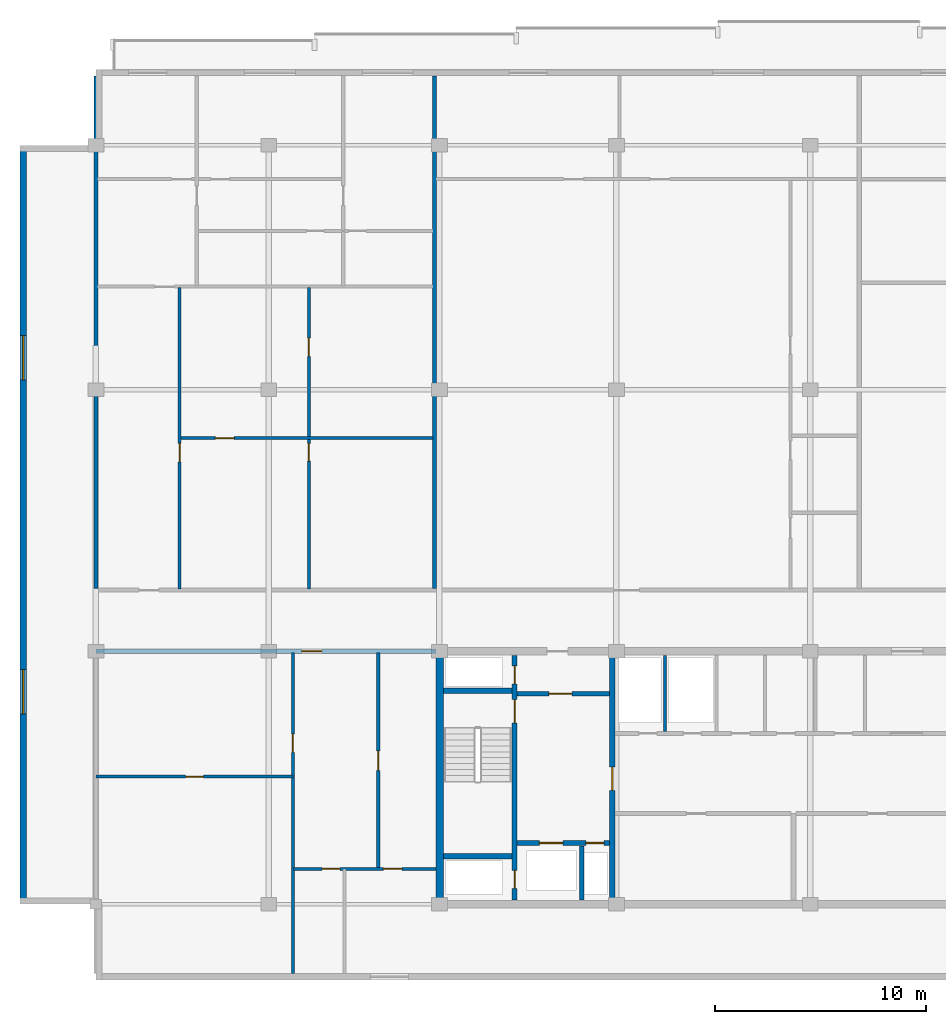
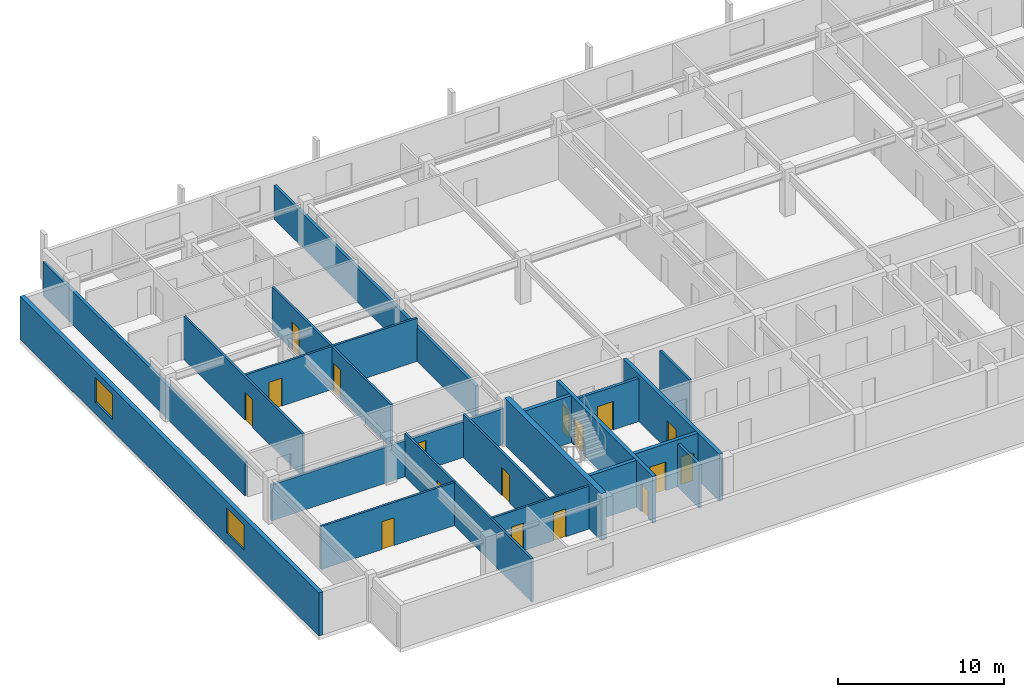
# One storey, part 3 of 10: 20 walls, 17 doors, 2 windows, 19 openings.
"""IFC4 building model written with IfcOpenShell, lengths in metres."""

from ifc_helpers import new_model, si_unit, direction, frame, frame_2d, origin, place, context, subcontext, project, spatial, rectangle, extrude, material, layer, layer_set, type_object, element, fill, save


model = new_model("IFC4")

# Units and contexts
model_context = context("Model", 3, precision=1e-05, world=origin(), true_north=direction((0.0, 1.0)))
body_context = subcontext(model_context, "Body", "Model", "MODEL_VIEW")
ifc_project = project(units=[si_unit("LENGTHUNIT", "METRE"), si_unit("AREAUNIT", "SQUARE_METRE"), si_unit("VOLUMEUNIT", "CUBIC_METRE"), si_unit("PLANEANGLEUNIT", "RADIAN"), si_unit("MASSUNIT", "GRAM", prefix="KILO")], contexts=[model_context])

# Site, building, storey
site_placement = place(None, origin())
site = spatial("IfcSite", under=ifc_project, at=site_placement, CompositionType="ELEMENT")
building_placement = place(site_placement, origin())
building = spatial("IfcBuilding", under=site, at=building_placement, Name="Korimba Cascade Residences", CompositionType="ELEMENT")
storey_placement = place(building_placement, frame((0.0, 0.0, 242.449951171875)))
storey = spatial("IfcBuildingStorey", under=building, at=storey_placement, Name="L70", CompositionType="ELEMENT", Elevation=242.449951171875)

# Wall, openings, windows
ifc_material_1 = material(Name="Precast concrete C40/50", Category="concrete")
ifc_layer_1 = layer(ifc_material_1, 0.300048828125)
ifc_layer_set_1 = layer_set([ifc_layer_1], Name="Precast concrete C40/50")
wall_type_1 = type_object("IfcWallType", Name="EW-STONE-300", PredefinedType="STANDARD", material=ifc_layer_set_1)
wall_1_placement = place(storey_placement, frame((56.35009765625, 91.199951171875, 0.0), z_axis=(0.0, 0.0, 1.0), x_axis=(0.0, -1.0, 0.0)))
wall_1 = element("IfcWall", 1, at=wall_1_placement, inside=storey, type_object=wall_type_1, Name="L70 T1 Perimeter Stone Wall E09", PredefinedType="STANDARD", context=body_context, shape_type="SweptSolid", body=[
    extrude(rectangle(XDim=36.0, YDim=0.300048828125, at=frame_2d((18.0, 0.0))), origin(), (0.0, 0.0, 1.0), 3.170166015625),
])
opening_1_placement = place(wall_1_placement, frame((9.030029296875, 0.0, 0.85009765625)))
opening_1 = element("IfcOpeningElement", 2, at=opening_1_placement, cuts=wall_1, Name="Opening W-03", PredefinedType="OPENING", context=body_context, shape_type="SweptSolid", body=[
    extrude(rectangle(XDim=2.10009765625, YDim=1.85009765625, at=frame_2d((1.050048828125, 0.925048828125))), frame((0.0, 0.16015625, 0.0), z_axis=(0.0, -1.0, 0.0), x_axis=(1.0, 0.0, 0.0)), (0.0, 0.0, 1.0), 0.320068359375),
])
opening_2_placement = place(wall_1_placement, frame((24.8701171875, 0.0, 0.85009765625)))
opening_2 = element("IfcOpeningElement", 3, at=opening_2_placement, cuts=wall_1, Name="Opening W-03", PredefinedType="OPENING", context=body_context, shape_type="SweptSolid", body=[
    extrude(rectangle(XDim=2.10009765625, YDim=1.85009765625, at=frame_2d((1.050048828125, 0.925048828125))), frame((0.0, 0.16015625, 0.0), z_axis=(0.0, -1.0, 0.0), x_axis=(1.0, 0.0, 0.0)), (0.0, 0.0, 1.0), 0.320068359375),
])
ifc_material_2 = material(Name="Double-Glazed Aluminium Window", Category="aluminium")
window_type = type_object("IfcWindowType", Name="WIN-CRN-2100", PartitioningType="DOUBLE_PANEL_HORIZONTAL", PredefinedType="WINDOW", material=ifc_material_2)
window_1_placement = place(opening_1_placement, origin())
window_1 = element("IfcWindow", 4, at=window_1_placement, inside=storey, type_object=window_type, Name="L70 T1 End View Window 9.1", OverallHeight=1.85009765625, OverallWidth=2.10009765625, PartitioningType="DOUBLE_PANEL_HORIZONTAL", PredefinedType="WINDOW", context=body_context, shape_type="SweptSolid", body=[
    extrude(rectangle(XDim=2.10009765625, YDim=1.85009765625, at=frame_2d((1.050048828125, 0.925048828125))), frame((0.0, 0.030029296875, 0.0), z_axis=(0.0, -1.0, 0.0), x_axis=(1.0, 0.0, 0.0)), (0.0, 0.0, 1.0), 0.06005859375),
])
fill(opening_1, window_1)
window_2_placement = place(opening_2_placement, origin())
window_2 = element("IfcWindow", 5, at=window_2_placement, inside=storey, type_object=window_type, Name="L70 T1 End View Window 9.2", OverallHeight=1.85009765625, OverallWidth=2.10009765625, PartitioningType="DOUBLE_PANEL_HORIZONTAL", PredefinedType="WINDOW", context=body_context, shape_type="SweptSolid", body=[
    extrude(rectangle(XDim=2.10009765625, YDim=1.85009765625, at=frame_2d((1.050048828125, 0.925048828125))), frame((0.0, 0.030029296875, 0.0), z_axis=(0.0, -1.0, 0.0), x_axis=(1.0, 0.0, 0.0)), (0.0, 0.0, 1.0), 0.06005859375),
])
fill(opening_2, window_2)

# Wall
ifc_material_3 = material(Name="Concrete C65/80", Category="concrete")
ifc_layer_2 = layer(ifc_material_3, 0.35009765625)
ifc_layer_set_2 = layer_set([ifc_layer_2], Name="Concrete C65/80")
wall_type_2 = type_object("IfcWallType", Name="WAL-CORE-350", PredefinedType="SHEAR", material=ifc_layer_set_2)
wall_2_placement = place(storey_placement, frame((76.125, 55.375, 0.0), z_axis=(0.0, 0.0, 1.0), x_axis=(0.0, 1.0, 0.0)))
element("IfcWall", 6, at=wall_2_placement, inside=storey, type_object=wall_type_2, Name="L70 Core Shear Wall CW-L70-T1-W", PredefinedType="SHEAR", context=body_context, shape_type="SweptSolid", body=[
    extrude(rectangle(XDim=11.64990234375, YDim=0.35009765625, at=frame_2d((5.824951171875, 0.0))), origin(), (0.0, 0.0, 1.0), 3.449951171875),
])

# Wall, opening, door
ifc_layer_3 = layer(ifc_material_1, 0.199951171875)
ifc_layer_set_3 = layer_set([ifc_layer_3], Name="Precast concrete C40/50")
wall_type_3 = type_object("IfcWallType", Name="WAL-IT-200", PredefinedType="PARTITIONING", material=ifc_layer_set_3)
wall_3_placement = place(storey_placement, frame((59.800048828125, 67.199951171875, 0.0), z_axis=(0.0, 0.0, 1.0), x_axis=(1.0, 0.0, 0.0)))
wall_3 = element("IfcWall", 7, at=wall_3_placement, inside=storey, type_object=wall_type_3, Name="L70 Partition Wall WAL-L70-T1-FW-N", PredefinedType="PARTITIONING", context=body_context, shape_type="SweptSolid", body=[
    extrude(rectangle(XDim=16.14990234375, YDim=0.199951171875, at=frame_2d((8.074951171875, 0.0))), origin(), (0.0, 0.0, 1.0), 2.63330078125),
])
opening_3_placement = place(wall_3_placement, frame((9.7724609375, 0.0, 0.0)))
opening_3 = element("IfcOpeningElement", 8, at=opening_3_placement, cuts=wall_3, Name="Opening D-UN1", PredefinedType="OPENING", context=body_context, shape_type="SweptSolid", body=[
    extrude(rectangle(XDim=0.949951171875, YDim=2.14990234375, at=frame_2d((0.47509765625, 1.074951171875))), frame((0.0, 0.10986328125, 0.0), z_axis=(0.0, -1.0, 0.0), x_axis=(1.0, 0.0, 0.0)), (0.0, 0.0, 1.0), 0.219970703125),
])
ifc_material_4 = material(Name="Fire-Rated Hardwood Apartment Entrance Door", Category="wood")
door_type_1 = type_object("IfcDoorType", Name="DR-FD60-950", OperationType="NOTDEFINED", PredefinedType="DOOR", material=ifc_material_4)
door_1_placement = place(opening_3_placement, origin())
door_1 = element("IfcDoor", 9, at=door_1_placement, inside=storey, type_object=door_type_1, Name="L70-T1-FW Entrance Door", OperationType="SINGLE_SWING_LEFT", OverallHeight=2.14990234375, OverallWidth=0.949951171875, PredefinedType="DOOR", context=body_context, shape_type="SweptSolid", body=[
    extrude(rectangle(XDim=0.949951171875, YDim=2.14990234375, at=frame_2d((0.47509765625, 1.074951171875))), frame((0.0, 0.02490234375, 0.0), z_axis=(0.0, -1.0, 0.0), x_axis=(1.0, 0.0, 0.0)), (0.0, 0.0, 1.0), 0.050048828125),
])
fill(opening_3, door_1)

# Walls
for number, where, z_axis, x_axis, name in (
    (10, (59.800048828125, 70.179931640625, 0.0), (0.0, 0.0, 1.0), (0.0, 1.0, 0.0), "L70 Partition Wall WAL-L70-T1-BNDWL"),
    (11, (75.864990234375, 70.179931640625, 0.0), (0.0, 0.0, 1.0), (0.0, 1.0, 0.0), "L70 Partition Wall WAL-L70-T1-DEM-1"),
):
    element("IfcWall", number, at=place(storey_placement, frame(where, z_axis=z_axis, x_axis=x_axis)), inside=storey, type_object=wall_type_3, Name=name, PredefinedType="PARTITIONING", context=body_context, shape_type="SweptSolid", body=[
        extrude(rectangle(XDim=24.320068359375, YDim=0.199951171875, at=frame_2d((12.16015625, 0.0))), origin(), (0.0, 0.0, 1.0), 2.47705078125),
    ])
ifc_material_5 = material(Name="Insulated Acoustic Stud Partition", Category="gypsum")
ifc_layer_4 = layer(ifc_material_5, 0.14990234375)
ifc_layer_set_4 = layer_set([ifc_layer_4], Name="Insulated Acoustic Stud Partition")
wall_type_4 = type_object("IfcWallType", Name="WAL-PART-150", PredefinedType="PARTITIONING", material=ifc_layer_set_4)
wall_4_placement = place(storey_placement, frame((86.800048828125, 63.39990234375, 0.0), z_axis=(0.0, 0.0, 1.0), x_axis=(0.0, 1.0, 0.0)))
element("IfcWall", 12, at=wall_4_placement, inside=storey, type_object=wall_type_4, Name="L70 Partition Wall CW-L70-T1-ERDIV", PredefinedType="PARTITIONING", context=body_context, shape_type="SweptSolid", body=[
    extrude(rectangle(XDim=3.60009765625, YDim=0.14990234375, at=frame_2d((1.800048828125, 0.0))), origin(), (0.0, 0.0, 1.0), 3.170166015625),
])

# Wall, opening, door
wall_5_placement = place(storey_placement, frame((59.800048828125, 61.25, 0.0), z_axis=(0.0, 0.0, 1.0), x_axis=(1.0, 0.0, 0.0)))
wall_5 = element("IfcWall", 13, at=wall_5_placement, inside=storey, type_object=wall_type_4, Name="L70 Partition Wall WAL-L70-T1-FW-STH", PredefinedType="PARTITIONING", context=body_context, shape_type="SweptSolid", body=[
    extrude(rectangle(XDim=9.349853515625, YDim=0.14990234375, at=frame_2d((4.6748046875, 0.0))), origin(), (0.0, 0.0, 1.0), 3.170166015625),
])
opening_4_placement = place(wall_5_placement, frame((4.2548828125, 0.0, 0.0)))
opening_4 = element("IfcOpeningElement", 14, at=opening_4_placement, cuts=wall_5, Name="Opening D-BT1", PredefinedType="OPENING", context=body_context, shape_type="SweptSolid", body=[
    extrude(rectangle(XDim=0.840087890625, YDim=2.0400390625, at=frame_2d((0.419921875, 1.02001953125))), frame((0.0, 0.0849609375, 0.0), z_axis=(0.0, -1.0, 0.0), x_axis=(1.0, 0.0, 0.0)), (0.0, 0.0, 1.0), 0.169921875),
])
ifc_material_6 = material(Name="Moisture-Resistant Bathroom Timber Door", Category="wood")
door_type_2 = type_object("IfcDoorType", Name="DR-INT-850", OperationType="NOTDEFINED", PredefinedType="DOOR", material=ifc_material_6)
door_2_placement = place(opening_4_placement, origin())
door_2 = element("IfcDoor", 15, at=door_2_placement, inside=storey, type_object=door_type_2, Name="L70-T1-FW Dressing Store Door", OperationType="SINGLE_SWING_RIGHT", OverallHeight=2.0400390625, OverallWidth=0.840087890625, PredefinedType="DOOR", context=body_context, shape_type="SweptSolid", body=[
    extrude(rectangle(XDim=0.840087890625, YDim=2.0400390625, at=frame_2d((0.419921875, 1.02001953125))), frame((0.0, 0.02490234375, 0.0), z_axis=(0.0, -1.0, 0.0), x_axis=(1.0, 0.0, 0.0)), (0.0, 0.0, 1.0), 0.050048828125),
])
fill(opening_4, door_2)

wall_6_placement = place(storey_placement, frame((69.14990234375, 51.89990234375, 0.0), z_axis=(0.0, 0.0, 1.0), x_axis=(0.0, 1.0, 0.0)))
wall_6 = element("IfcWall", 16, at=wall_6_placement, inside=storey, type_object=wall_type_4, Name="L70 Partition Wall WAL-L70-T1-FW-STV", PredefinedType="PARTITIONING", context=body_context, shape_type="SweptSolid", body=[
    extrude(rectangle(XDim=15.25, YDim=0.14990234375, at=frame_2d((7.625, 0.0))), origin(), (0.0, 0.0, 1.0), 3.170166015625),
])
opening_5_placement = place(wall_6_placement, frame((10.5, 0.0, 0.0)))
opening_5 = element("IfcOpeningElement", 17, at=opening_5_placement, cuts=wall_6, Name="Opening D-IN2", PredefinedType="OPENING", context=body_context, shape_type="SweptSolid", body=[
    extrude(rectangle(XDim=0.8798828125, YDim=2.06005859375, at=frame_2d((0.43994140625, 1.030029296875))), frame((0.0, 0.0849609375, 0.0), z_axis=(0.0, -1.0, 0.0), x_axis=(1.0, 0.0, 0.0)), (0.0, 0.0, 1.0), 0.169921875),
])
ifc_material_7 = material(Name="Acoustic Timber Bedroom Door", Category="wood")
door_type_3 = type_object("IfcDoorType", Name="DR-INT-880", OperationType="NOTDEFINED", PredefinedType="DOOR", material=ifc_material_7)
door_3_placement = place(opening_5_placement, origin())
door_3 = element("IfcDoor", 18, at=door_3_placement, inside=storey, type_object=door_type_3, Name="L70-T1-FW Study Door", OperationType="SINGLE_SWING_LEFT", OverallHeight=2.06005859375, OverallWidth=0.8798828125, PredefinedType="DOOR", context=body_context, shape_type="SweptSolid", body=[
    extrude(rectangle(XDim=0.8798828125, YDim=2.06005859375, at=frame_2d((0.43994140625, 1.030029296875))), frame((0.0, 0.02490234375, 0.0), z_axis=(0.0, -1.0, 0.0), x_axis=(1.0, 0.0, 0.0)), (0.0, 0.0, 1.0), 0.050048828125),
])
fill(opening_5, door_3)

wall_7_placement = place(storey_placement, frame((73.199951171875, 56.8701171875, 0.0), z_axis=(0.0, 0.0, 1.0), x_axis=(0.0, 1.0, 0.0)))
wall_7 = element("IfcWall", 19, at=wall_7_placement, inside=storey, type_object=wall_type_4, Name="L70 Partition Wall WAL-L70-T1-FW-VN", PredefinedType="PARTITIONING", context=body_context, shape_type="SweptSolid", body=[
    extrude(rectangle(XDim=10.27978515625, YDim=0.14990234375, at=frame_2d((5.139892578125, 0.0))), origin(), (0.0, 0.0, 1.0), 3.170166015625),
])
opening_6_placement = place(wall_7_placement, frame((4.679931640625, 0.0, 0.0)))
opening_6 = element("IfcOpeningElement", 20, at=opening_6_placement, cuts=wall_7, Name="Opening D-IN1", PredefinedType="OPENING", context=body_context, shape_type="SweptSolid", body=[
    extrude(rectangle(XDim=0.919921875, YDim=2.080078125, at=frame_2d((0.4599609375, 1.0400390625))), frame((0.0, 0.0849609375, 0.0), z_axis=(0.0, -1.0, 0.0), x_axis=(1.0, 0.0, 0.0)), (0.0, 0.0, 1.0), 0.169921875),
])
ifc_material_8 = material(Name="Acoustic Timber Living Door", Category="wood")
door_type_4 = type_object("IfcDoorType", Name="DR-INT-920", OperationType="NOTDEFINED", PredefinedType="DOOR", material=ifc_material_8)
door_4_placement = place(opening_6_placement, origin())
door_4 = element("IfcDoor", 21, at=door_4_placement, inside=storey, type_object=door_type_4, Name="L70-T1-FW Living Door", OperationType="SINGLE_SWING_RIGHT", OverallHeight=2.080078125, OverallWidth=0.919921875, PredefinedType="DOOR", context=body_context, shape_type="SweptSolid", body=[
    extrude(rectangle(XDim=0.919921875, YDim=2.080078125, at=frame_2d((0.4599609375, 1.0400390625))), frame((0.0, 0.02490234375, 0.0), z_axis=(0.0, -1.0, 0.0), x_axis=(1.0, 0.0, 0.0)), (0.0, 0.0, 1.0), 0.050048828125),
])
fill(opening_6, door_4)

# Wall, openings, doors
wall_8_placement = place(storey_placement, frame((69.169921875, 56.8701171875, 0.0), z_axis=(0.0, 0.0, 1.0), x_axis=(1.0, 0.0, 0.0)))
wall_8 = element("IfcWall", 22, at=wall_8_placement, inside=storey, type_object=wall_type_4, Name="L70 Partition Wall WAL-L70-T1-FW-H", PredefinedType="PARTITIONING", context=body_context, shape_type="SweptSolid", body=[
    extrude(rectangle(XDim=6.760009765625, YDim=0.14990234375, at=frame_2d((3.3798828125, 0.0))), origin(), (0.0, 0.0, 1.0), 3.170166015625),
])
opening_7_placement = place(wall_8_placement, frame((1.3623046875, 0.0, 0.0)))
opening_7 = element("IfcOpeningElement", 23, at=opening_7_placement, cuts=wall_8, Name="Opening D-BT1", PredefinedType="OPENING", context=body_context, shape_type="SweptSolid", body=[
    extrude(rectangle(XDim=0.840087890625, YDim=2.0400390625, at=frame_2d((0.419921875, 1.02001953125))), frame((0.0, 0.0849609375, 0.0), z_axis=(0.0, -1.0, 0.0), x_axis=(1.0, 0.0, 0.0)), (0.0, 0.0, 1.0), 0.169921875),
])
opening_8_placement = place(wall_8_placement, frame((4.276611328125, 0.0, 0.0)))
opening_8 = element("IfcOpeningElement", 24, at=opening_8_placement, cuts=wall_8, Name="Opening D-IN2", PredefinedType="OPENING", context=body_context, shape_type="SweptSolid", body=[
    extrude(rectangle(XDim=0.8798828125, YDim=2.06005859375, at=frame_2d((0.43994140625, 1.030029296875))), frame((0.0, 0.0849609375, 0.0), z_axis=(0.0, -1.0, 0.0), x_axis=(1.0, 0.0, 0.0)), (0.0, 0.0, 1.0), 0.169921875),
])
door_5_placement = place(opening_7_placement, origin())
door_5 = element("IfcDoor", 25, at=door_5_placement, inside=storey, type_object=door_type_2, Name="L70-T1-FW Bathroom Door", OperationType="SINGLE_SWING_LEFT", OverallHeight=2.0400390625, OverallWidth=0.840087890625, PredefinedType="DOOR", context=body_context, shape_type="SweptSolid", body=[
    extrude(rectangle(XDim=0.840087890625, YDim=2.0400390625, at=frame_2d((0.419921875, 1.02001953125))), frame((0.0, 0.02490234375, 0.0), z_axis=(0.0, -1.0, 0.0), x_axis=(1.0, 0.0, 0.0)), (0.0, 0.0, 1.0), 0.050048828125),
])
fill(opening_7, door_5)
door_6_placement = place(opening_8_placement, origin())
door_6 = element("IfcDoor", 26, at=door_6_placement, inside=storey, type_object=door_type_3, Name="L70-T1-FW Bedroom Door", OperationType="SINGLE_SWING_RIGHT", OverallHeight=2.06005859375, OverallWidth=0.8798828125, PredefinedType="DOOR", context=body_context, shape_type="SweptSolid", body=[
    extrude(rectangle(XDim=0.8798828125, YDim=2.06005859375, at=frame_2d((0.43994140625, 1.030029296875))), frame((0.0, 0.02490234375, 0.0), z_axis=(0.0, -1.0, 0.0), x_axis=(1.0, 0.0, 0.0)), (0.0, 0.0, 1.0), 0.050048828125),
])
fill(opening_8, door_6)

wall_9_placement = place(storey_placement, frame((69.90771484375, 70.159912109375, 0.0), z_axis=(0.0, 0.0, 1.0), x_axis=(0.0, 1.0, 0.0)))
wall_9 = element("IfcWall", 27, at=wall_9_placement, inside=storey, type_object=wall_type_4, Name="L70 Partition Wall WAL-L70-T1-U01-FMV", PredefinedType="PARTITIONING", context=body_context, shape_type="SweptSolid", body=[
    extrude(rectangle(XDim=14.300048828125, YDim=0.14990234375, at=frame_2d((7.14990234375, 0.0))), origin(), (0.0, 0.0, 1.0), 3.170166015625),
])
opening_9_placement = place(wall_9_placement, frame((6.06005859375, 0.0, 0.0)))
opening_9 = element("IfcOpeningElement", 28, at=opening_9_placement, cuts=wall_9, Name="Opening D-BT1", PredefinedType="OPENING", context=body_context, shape_type="SweptSolid", body=[
    extrude(rectangle(XDim=0.840087890625, YDim=2.0400390625, at=frame_2d((0.419921875, 1.02001953125))), frame((0.0, 0.0849609375, 0.0), z_axis=(0.0, -1.0, 0.0), x_axis=(1.0, 0.0, 0.0)), (0.0, 0.0, 1.0), 0.169921875),
])
opening_10_placement = place(wall_9_placement, frame((11.02880859375, 0.0, 0.0)))
opening_10 = element("IfcOpeningElement", 29, at=opening_10_placement, cuts=wall_9, Name="Opening D-IN2", PredefinedType="OPENING", context=body_context, shape_type="SweptSolid", body=[
    extrude(rectangle(XDim=0.8798828125, YDim=2.06005859375, at=frame_2d((0.43994140625, 1.030029296875))), frame((0.0, 0.0849609375, 0.0), z_axis=(0.0, -1.0, 0.0), x_axis=(1.0, 0.0, 0.0)), (0.0, 0.0, 1.0), 0.169921875),
])
door_7_placement = place(opening_9_placement, origin())
door_7 = element("IfcDoor", 30, at=door_7_placement, inside=storey, type_object=door_type_2, Name="L70-T1-U01 Wardrobe Door", OperationType="SINGLE_SWING_RIGHT", OverallHeight=2.0400390625, OverallWidth=0.840087890625, PredefinedType="DOOR", context=body_context, shape_type="SweptSolid", body=[
    extrude(rectangle(XDim=0.840087890625, YDim=2.0400390625, at=frame_2d((0.419921875, 1.02001953125))), frame((0.0, 0.02490234375, 0.0), z_axis=(0.0, -1.0, 0.0), x_axis=(1.0, 0.0, 0.0)), (0.0, 0.0, 1.0), 0.050048828125),
])
fill(opening_9, door_7)
door_8_placement = place(opening_10_placement, origin())
door_8 = element("IfcDoor", 31, at=door_8_placement, inside=storey, type_object=door_type_3, Name="L70-T1-U01 Music Lounge Door", OperationType="SINGLE_SWING_LEFT", OverallHeight=2.06005859375, OverallWidth=0.8798828125, PredefinedType="DOOR", context=body_context, shape_type="SweptSolid", body=[
    extrude(rectangle(XDim=0.8798828125, YDim=2.06005859375, at=frame_2d((0.43994140625, 1.030029296875))), frame((0.0, 0.02490234375, 0.0), z_axis=(0.0, -1.0, 0.0), x_axis=(1.0, 0.0, 0.0)), (0.0, 0.0, 1.0), 0.050048828125),
])
fill(opening_10, door_8)

# Wall, opening, door
wall_10_placement = place(storey_placement, frame((63.830078125, 77.31005859375, 0.0), z_axis=(0.0, 0.0, 1.0), x_axis=(1.0, 0.0, 0.0)))
wall_10 = element("IfcWall", 32, at=wall_10_placement, inside=storey, type_object=wall_type_4, Name="L70 Partition Wall WAL-L70-T1-U01-FMH", PredefinedType="PARTITIONING", context=body_context, shape_type="SweptSolid", body=[
    extrude(rectangle(XDim=11.955078125, YDim=0.14990234375, at=frame_2d((5.9775390625, 0.0))), origin(), (0.0, 0.0, 1.0), 3.170166015625),
])
opening_11_placement = place(wall_10_placement, frame((1.645751953125, 0.0, 0.0)))
opening_11 = element("IfcOpeningElement", 33, at=opening_11_placement, cuts=wall_10, Name="Opening D-IN2", PredefinedType="OPENING", context=body_context, shape_type="SweptSolid", body=[
    extrude(rectangle(XDim=0.8798828125, YDim=2.06005859375, at=frame_2d((0.43994140625, 1.030029296875))), frame((0.0, 0.0849609375, 0.0), z_axis=(0.0, -1.0, 0.0), x_axis=(1.0, 0.0, 0.0)), (0.0, 0.0, 1.0), 0.169921875),
])
door_9_placement = place(opening_11_placement, origin())
door_9 = element("IfcDoor", 34, at=door_9_placement, inside=storey, type_object=door_type_3, Name="L70-T1-U01 Library Salon Door", OperationType="SINGLE_SWING_RIGHT", OverallHeight=2.06005859375, OverallWidth=0.8798828125, PredefinedType="DOOR", context=body_context, shape_type="SweptSolid", body=[
    extrude(rectangle(XDim=0.8798828125, YDim=2.06005859375, at=frame_2d((0.43994140625, 1.030029296875))), frame((0.0, 0.02490234375, 0.0), z_axis=(0.0, -1.0, 0.0), x_axis=(1.0, 0.0, 0.0)), (0.0, 0.0, 1.0), 0.050048828125),
])
fill(opening_11, door_9)

wall_11_placement = place(storey_placement, frame((63.77001953125, 70.159912109375, 0.0), z_axis=(0.0, 0.0, 1.0), x_axis=(0.0, 1.0, 0.0)))
wall_11 = element("IfcWall", 35, at=wall_11_placement, inside=storey, type_object=wall_type_4, Name="L70 Partition Wall WAL-L70-T1-U01-FV", PredefinedType="PARTITIONING", context=body_context, shape_type="SweptSolid", body=[
    extrude(rectangle(XDim=14.300048828125, YDim=0.14990234375, at=frame_2d((7.14990234375, 0.0))), origin(), (0.0, 0.0, 1.0), 3.170166015625),
])
opening_12_placement = place(wall_11_placement, frame((6.02001953125, 0.0, 0.0)))
opening_12 = element("IfcOpeningElement", 36, at=opening_12_placement, cuts=wall_11, Name="Opening D-IN2", PredefinedType="OPENING", context=body_context, shape_type="SweptSolid", body=[
    extrude(rectangle(XDim=0.8798828125, YDim=2.06005859375, at=frame_2d((0.43994140625, 1.030029296875))), frame((0.0, 0.0849609375, 0.0), z_axis=(0.0, -1.0, 0.0), x_axis=(1.0, 0.0, 0.0)), (0.0, 0.0, 1.0), 0.169921875),
])
door_10_placement = place(opening_12_placement, origin())
door_10 = element("IfcDoor", 37, at=door_10_placement, inside=storey, type_object=door_type_3, Name="L70-T1-U01 Media Lounge Door", OperationType="SINGLE_SWING_LEFT", OverallHeight=2.06005859375, OverallWidth=0.8798828125, PredefinedType="DOOR", context=body_context, shape_type="SweptSolid", body=[
    extrude(rectangle(XDim=0.8798828125, YDim=2.06005859375, at=frame_2d((0.43994140625, 1.030029296875))), frame((0.0, 0.02490234375, 0.0), z_axis=(0.0, -1.0, 0.0), x_axis=(1.0, 0.0, 0.0)), (0.0, 0.0, 1.0), 0.050048828125),
])
fill(opening_12, door_10)

# Wall
ifc_material_9 = material(Name="Concrete C40/50", Category="concrete")
ifc_layer_5 = layer(ifc_material_9, 0.199951171875)
ifc_layer_set_5 = layer_set([ifc_layer_5], Name="Concrete C40/50")
wall_type_5 = type_object("IfcWallType", Name="WAL-PART-200", PredefinedType="PARTITIONING", material=ifc_layer_set_5)
wall_12_placement = place(storey_placement, frame((82.85009765625, 55.39990234375, 0.0), z_axis=(0.0, 0.0, 1.0), x_axis=(0.0, 1.0, 0.0)))
element("IfcWall", 38, at=wall_12_placement, inside=storey, type_object=wall_type_5, Name="L70 Partition Wall CW-L70-T1-FFLDIV", PredefinedType="PARTITIONING", context=body_context, shape_type="SweptSolid", body=[
    extrude(rectangle(XDim=2.56005859375, YDim=0.199951171875, at=frame_2d((1.280029296875, 0.0))), origin(), (0.0, 0.0, 1.0), 3.170166015625),
])

# Wall, opening, door
wall_13_placement = place(storey_placement, frame((79.7900390625, 65.179931640625, 0.0), z_axis=(0.0, 0.0, 1.0), x_axis=(1.0, 0.0, 0.0)))
wall_13 = element("IfcWall", 39, at=wall_13_placement, inside=storey, type_object=wall_type_5, Name="L70 Partition Wall CW-L70-T1-FFLN", PredefinedType="PARTITIONING", context=body_context, shape_type="SweptSolid", body=[
    extrude(rectangle(XDim=4.389892578125, YDim=0.199951171875, at=frame_2d((2.19482421875, 0.0))), origin(), (0.0, 0.0, 1.0), 3.170166015625),
])
opening_13_placement = place(wall_13_placement, frame((1.5, 0.0, 0.0)))
opening_13 = element("IfcOpeningElement", 40, at=opening_13_placement, cuts=wall_13, Name="Opening D-FD1", PredefinedType="OPENING", context=body_context, shape_type="SweptSolid", body=[
    extrude(rectangle(XDim=1.10009765625, YDim=2.10009765625, at=frame_2d((0.550048828125, 1.050048828125))), frame((0.0, 0.10986328125, 0.0), z_axis=(0.0, -1.0, 0.0), x_axis=(1.0, 0.0, 0.0)), (0.0, 0.0, 1.0), 0.219970703125),
])
ifc_material_10 = material(Name="Fire-Rated Steel Core Door", Category="steel")
door_type_5 = type_object("IfcDoorType", Name="DR-FD120-1100", OperationType="NOTDEFINED", PredefinedType="DOOR", material=ifc_material_10)
door_11_placement = place(opening_13_placement, origin())
door_11 = element("IfcDoor", 41, at=door_11_placement, inside=storey, type_object=door_type_5, Name="L70 West Firefighting Lobby Door", OperationType="SINGLE_SWING_LEFT", OverallHeight=2.10009765625, OverallWidth=1.10009765625, PredefinedType="DOOR", context=body_context, shape_type="SweptSolid", body=[
    extrude(rectangle(XDim=1.10009765625, YDim=2.10009765625, at=frame_2d((0.550048828125, 1.050048828125))), frame((0.0, 0.02490234375, 0.0), z_axis=(0.0, -1.0, 0.0), x_axis=(1.0, 0.0, 0.0)), (0.0, 0.0, 1.0), 0.050048828125),
])
fill(opening_13, door_11)

# Wall, openings, doors
ifc_material_11 = material(Name="Concrete C50/60", Category="concrete")
ifc_layer_6 = layer(ifc_material_11, 0.25)
ifc_layer_set_6 = layer_set([ifc_layer_6], Name="Concrete C50/60")
wall_type_6 = type_object("IfcWallType", Name="WAL-SHAFT-250", PredefinedType="SHEAR", material=ifc_layer_set_6)
wall_14_placement = place(storey_placement, frame((79.6650390625, 55.39990234375, 0.0), z_axis=(0.0, 0.0, 1.0), x_axis=(0.0, 1.0, 0.0)))
wall_14 = element("IfcWall", 42, at=wall_14_placement, inside=storey, type_object=wall_type_6, Name="L70 Core Shear Wall CW-L70-T1-STW1E", PredefinedType="SHEAR", context=body_context, shape_type="SweptSolid", body=[
    extrude(rectangle(XDim=11.60009765625, YDim=0.25, at=frame_2d((5.800048828125, 0.0))), origin(), (0.0, 0.0, 1.0), 3.449951171875),
])
opening_14_placement = place(wall_14_placement, frame((0.550048828125, 0.0, 0.0)))
opening_14 = element("IfcOpeningElement", 43, at=opening_14_placement, cuts=wall_14, Name="Opening D-RS1", PredefinedType="OPENING", context=body_context, shape_type="SweptSolid", body=[
    extrude(rectangle(XDim=0.85009765625, YDim=2.050048828125, at=frame_2d((0.425048828125, 1.02490234375))), frame((0.0, 0.135009765625, 0.0), z_axis=(0.0, -1.0, 0.0), x_axis=(1.0, 0.0, 0.0)), (0.0, 0.0, 1.0), 0.27001953125),
])
opening_15_placement = place(wall_14_placement, frame((8.39990234375, 0.0, 0.0)))
opening_15 = element("IfcOpeningElement", 44, at=opening_15_placement, cuts=wall_14, Name="Opening D-FD1", PredefinedType="OPENING", context=body_context, shape_type="SweptSolid", body=[
    extrude(rectangle(XDim=1.10009765625, YDim=2.10009765625, at=frame_2d((0.550048828125, 1.050048828125))), frame((0.0, 0.135009765625, 0.0), z_axis=(0.0, -1.0, 0.0), x_axis=(1.0, 0.0, 0.0)), (0.0, 0.0, 1.0), 0.27001953125),
])
opening_16_placement = place(wall_14_placement, frame((10.25, 0.0, 0.0)))
opening_16 = element("IfcOpeningElement", 45, at=opening_16_placement, cuts=wall_14, Name="Opening D-RS1", PredefinedType="OPENING", context=body_context, shape_type="SweptSolid", body=[
    extrude(rectangle(XDim=0.85009765625, YDim=2.050048828125, at=frame_2d((0.425048828125, 1.02490234375))), frame((0.0, 0.135009765625, 0.0), z_axis=(0.0, -1.0, 0.0), x_axis=(1.0, 0.0, 0.0)), (0.0, 0.0, 1.0), 0.27001953125),
])
door_12_placement = place(opening_15_placement, origin())
door_12 = element("IfcDoor", 46, at=door_12_placement, inside=storey, type_object=door_type_5, Name="L70 Fire Stair ST-W1 Door", OperationType="SINGLE_SWING_RIGHT", OverallHeight=2.10009765625, OverallWidth=1.10009765625, PredefinedType="DOOR", context=body_context, shape_type="SweptSolid", body=[
    extrude(rectangle(XDim=1.10009765625, YDim=2.10009765625, at=frame_2d((0.550048828125, 1.050048828125))), frame((0.0, 0.02490234375, 0.0), z_axis=(0.0, -1.0, 0.0), x_axis=(1.0, 0.0, 0.0)), (0.0, 0.0, 1.0), 0.050048828125),
])
fill(opening_15, door_12)
ifc_material_12 = material(Name="Fire-Rated Steel Riser Access Door", Category="steel")
door_type_6 = type_object("IfcDoorType", Name="DR-FD60-850", OperationType="NOTDEFINED", PredefinedType="DOOR", material=ifc_material_12)
door_13_placement = place(opening_14_placement, origin())
door_13 = element("IfcDoor", 47, at=door_13_placement, inside=storey, type_object=door_type_6, Name="L70 Smoke Riser Access Door", OperationType="SINGLE_SWING_LEFT", OverallHeight=2.050048828125, OverallWidth=0.85009765625, PredefinedType="DOOR", context=body_context, shape_type="SweptSolid", body=[
    extrude(rectangle(XDim=0.85009765625, YDim=2.050048828125, at=frame_2d((0.425048828125, 1.02490234375))), frame((0.0, 0.02490234375, 0.0), z_axis=(0.0, -1.0, 0.0), x_axis=(1.0, 0.0, 0.0)), (0.0, 0.0, 1.0), 0.050048828125),
])
fill(opening_14, door_13)
door_14_placement = place(opening_16_placement, origin())
door_14 = element("IfcDoor", 48, at=door_14_placement, inside=storey, type_object=door_type_6, Name="L70 Hydrant Riser Access Door", OperationType="SINGLE_SWING_LEFT", OverallHeight=2.050048828125, OverallWidth=0.85009765625, PredefinedType="DOOR", context=body_context, shape_type="SweptSolid", body=[
    extrude(rectangle(XDim=0.85009765625, YDim=2.050048828125, at=frame_2d((0.425048828125, 1.02490234375))), frame((0.0, 0.02490234375, 0.0), z_axis=(0.0, -1.0, 0.0), x_axis=(1.0, 0.0, 0.0)), (0.0, 0.0, 1.0), 0.050048828125),
])
fill(opening_16, door_14)

# Walls
for number, where, z_axis, x_axis, name in (
    (49, (76.300048828125, 57.47509765625, 0.0), (0.0, 0.0, 1.0), (1.0, 0.0, 0.0), "L70 Core Shear Wall CW-L70-T1-STW1S"),
    (50, (76.300048828125, 65.324951171875, 0.0), (0.0, 0.0, 1.0), (1.0, 0.0, 0.0), "L70 Core Shear Wall CW-L70-T1-STW1N"),
):
    element("IfcWall", number, at=place(storey_placement, frame(where, z_axis=z_axis, x_axis=x_axis)), inside=storey, type_object=wall_type_6, Name=name, PredefinedType="SHEAR", context=body_context, shape_type="SweptSolid", body=[
        extrude(rectangle(XDim=3.239990234375, YDim=0.25, at=frame_2d((1.6201171875, 0.0))), origin(), (0.0, 0.0, 1.0), 3.449951171875),
    ])

# Wall, openings, doors
wall_15_placement = place(storey_placement, frame((79.7900390625, 58.10009765625, 0.0), z_axis=(0.0, 0.0, 1.0), x_axis=(1.0, 0.0, 0.0)))
wall_15 = element("IfcWall", 51, at=wall_15_placement, inside=storey, type_object=wall_type_6, Name="L70 Core Shear Wall CW-L70-T1-FFLS", PredefinedType="SHEAR", context=body_context, shape_type="SweptSolid", body=[
    extrude(rectangle(XDim=4.389892578125, YDim=0.25, at=frame_2d((2.19482421875, 0.0))), origin(), (0.0, 0.0, 1.0), 3.449951171875),
])
opening_17_placement = place(wall_15_placement, frame((1.050048828125, 0.0, 0.0)))
opening_17 = element("IfcOpeningElement", 52, at=opening_17_placement, cuts=wall_15, Name="Opening LD-01", PredefinedType="OPENING", context=body_context, shape_type="SweptSolid", body=[
    extrude(rectangle(XDim=1.1201171875, YDim=2.1201171875, at=frame_2d((0.56005859375, 1.06005859375))), frame((0.0, 0.135009765625, 0.0), z_axis=(0.0, -1.0, 0.0), x_axis=(1.0, 0.0, 0.0)), (0.0, 0.0, 1.0), 0.27001953125),
])
opening_18_placement = place(wall_15_placement, frame((3.260009765625, 0.0, 0.0)))
opening_18 = element("IfcOpeningElement", 53, at=opening_18_placement, cuts=wall_15, Name="Opening D-RS1", PredefinedType="OPENING", context=body_context, shape_type="SweptSolid", body=[
    extrude(rectangle(XDim=0.85009765625, YDim=2.050048828125, at=frame_2d((0.425048828125, 1.02490234375))), frame((0.0, 0.135009765625, 0.0), z_axis=(0.0, -1.0, 0.0), x_axis=(1.0, 0.0, 0.0)), (0.0, 0.0, 1.0), 0.27001953125),
])
door_15_placement = place(opening_18_placement, origin())
door_15 = element("IfcDoor", 54, at=door_15_placement, inside=storey, type_object=door_type_6, Name="L70 Pressurisation Riser Door", OperationType="SINGLE_SWING_RIGHT", OverallHeight=2.050048828125, OverallWidth=0.85009765625, PredefinedType="DOOR", context=body_context, shape_type="SweptSolid", body=[
    extrude(rectangle(XDim=0.85009765625, YDim=2.050048828125, at=frame_2d((0.425048828125, 1.02490234375))), frame((0.0, 0.02490234375, 0.0), z_axis=(0.0, -1.0, 0.0), x_axis=(1.0, 0.0, 0.0)), (0.0, 0.0, 1.0), 0.050048828125),
])
fill(opening_18, door_15)
ifc_material_13 = material(Name="Stainless Steel Lift Landing Sliding Door", Category="steel")
door_type_7 = type_object("IfcDoorType", Name="DR-LIFT-1100", OperationType="NOTDEFINED", PredefinedType="DOOR", material=ifc_material_13)
door_16_placement = place(opening_17_placement, origin())
door_16 = element("IfcDoor", 55, at=door_16_placement, inside=storey, type_object=door_type_7, Name="L70 Firefighting Lift Landing Door FFL-W1", OperationType="SLIDING_TO_LEFT", OverallHeight=2.1201171875, OverallWidth=1.1201171875, PredefinedType="DOOR", context=body_context, shape_type="SweptSolid", body=[
    extrude(rectangle(XDim=1.1201171875, YDim=2.1201171875, at=frame_2d((0.56005859375, 1.06005859375))), frame((0.0, 0.02490234375, 0.0), z_axis=(0.0, -1.0, 0.0), x_axis=(1.0, 0.0, 0.0)), (0.0, 0.0, 1.0), 0.050048828125),
])
fill(opening_17, door_16)

# Wall, opening, door
wall_16_placement = place(storey_placement, frame((84.300048828125, 55.39990234375, 0.0), z_axis=(0.0, 0.0, 1.0), x_axis=(0.0, 1.0, 0.0)))
wall_16 = element("IfcWall", 56, at=wall_16_placement, inside=storey, type_object=wall_type_6, Name="L70 Core Shear Wall CW-L70-T1-FFLE", PredefinedType="SHEAR", context=body_context, shape_type="SweptSolid", body=[
    extrude(rectangle(XDim=11.60009765625, YDim=0.25, at=frame_2d((5.800048828125, 0.0))), origin(), (0.0, 0.0, 1.0), 3.449951171875),
])
opening_19_placement = place(wall_16_placement, frame((5.199951171875, 0.0, 0.0)))
opening_19 = element("IfcOpeningElement", 57, at=opening_19_placement, cuts=wall_16, Name="Opening D-FD1", PredefinedType="OPENING", context=body_context, shape_type="SweptSolid", body=[
    extrude(rectangle(XDim=1.10009765625, YDim=2.10009765625, at=frame_2d((0.550048828125, 1.050048828125))), frame((0.0, 0.135009765625, 0.0), z_axis=(0.0, -1.0, 0.0), x_axis=(1.0, 0.0, 0.0)), (0.0, 0.0, 1.0), 0.27001953125),
])
door_17_placement = place(opening_19_placement, origin())
door_17 = element("IfcDoor", 58, at=door_17_placement, inside=storey, type_object=door_type_5, Name="L70 Firefighting Lobby to Lift Lobby Door", OperationType="SINGLE_SWING_RIGHT", OverallHeight=2.10009765625, OverallWidth=1.10009765625, PredefinedType="DOOR", context=body_context, shape_type="SweptSolid", body=[
    extrude(rectangle(XDim=1.10009765625, YDim=2.10009765625, at=frame_2d((0.550048828125, 1.050048828125))), frame((0.0, 0.02490234375, 0.0), z_axis=(0.0, -1.0, 0.0), x_axis=(1.0, 0.0, 0.0)), (0.0, 0.0, 1.0), 0.050048828125),
])
fill(opening_19, door_17)

save(model, "model.ifc")
